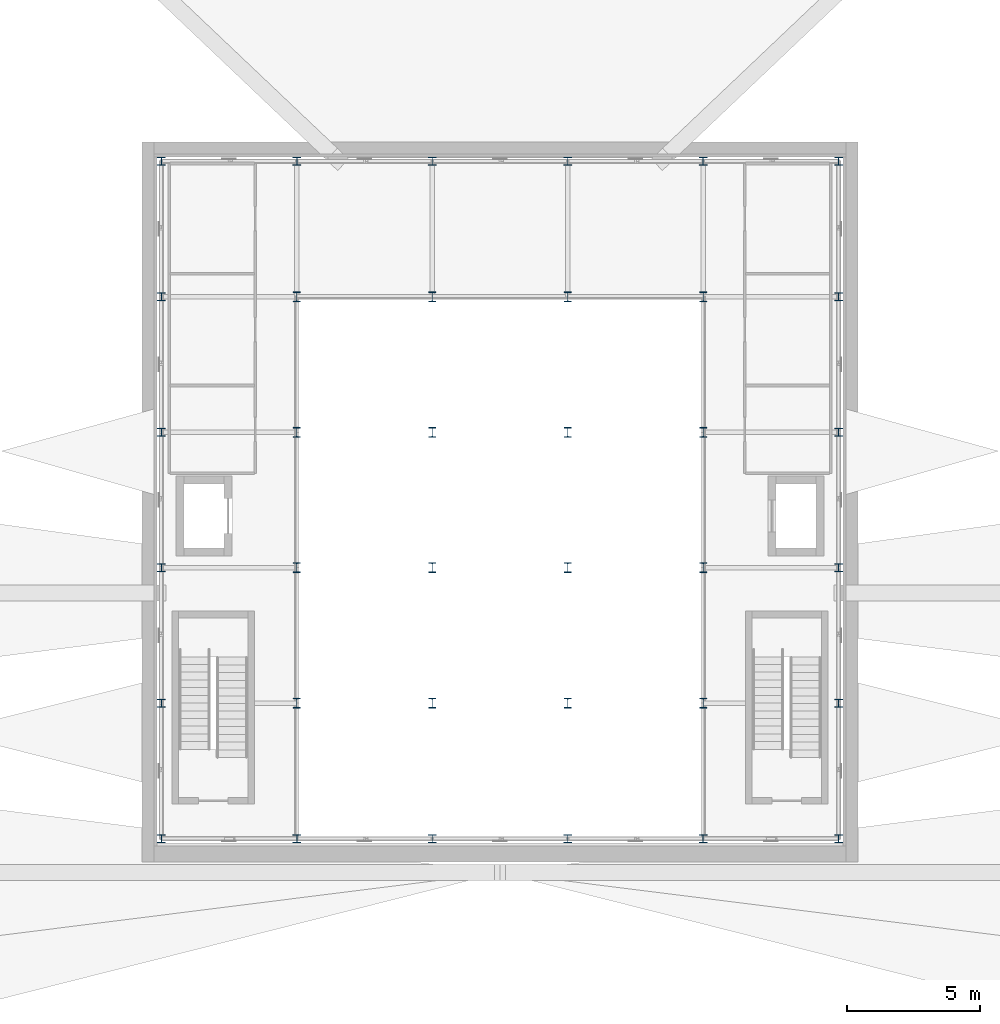
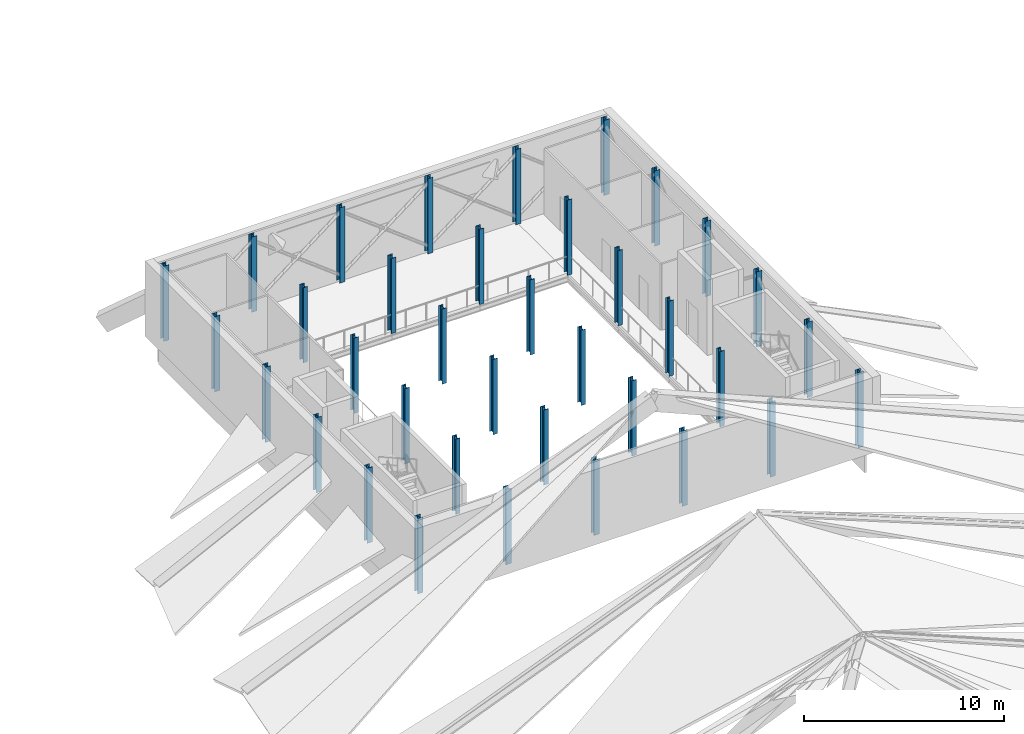
# One storey, part 1 of 7: 36 columns.
"""IFC4 building model written with IfcOpenShell, lengths in metres."""

from ifc_helpers import new_model, si_unit, direction, frame, origin, origin_2d, place, context, subcontext, project, spatial, i_section, extrude, material, material_profile, profile_set, type_object, element, save


model = new_model("IFC4")

# Units and contexts
model_context = context("Model", 3, precision=1e-05, world=origin(), true_north=direction((0.0, 1.0)))
body_context = subcontext(model_context, "Body", "Model", "MODEL_VIEW")
ifc_project = project(units=[si_unit("LENGTHUNIT", "METRE"), si_unit("AREAUNIT", "SQUARE_METRE"), si_unit("VOLUMEUNIT", "CUBIC_METRE"), si_unit("PLANEANGLEUNIT", "RADIAN"), si_unit("MASSUNIT", "GRAM", prefix="KILO")], contexts=[model_context])

# Site, building, storey
site_placement = place(None, origin())
site = spatial("IfcSite", under=ifc_project, at=site_placement, CompositionType="ELEMENT")
building_placement = place(site_placement, origin())
building = spatial("IfcBuilding", under=site, at=building_placement, Name="Tide Square Theatres", CompositionType="ELEMENT")
storey_placement = place(building_placement, frame((0.0, 0.0, 19.39990234375)))
storey = spatial("IfcBuildingStorey", under=building, at=storey_placement, Name="L04", CompositionType="ELEMENT", Elevation=19.39990234375)

# Columns
ifc_material_1 = material(Name="Steel ASTM A572 Grade 50", Category="steel")
ifc_material_profile_1 = material_profile(ifc_material_1, i_section(OverallWidth=0.31201171875, OverallDepth=0.31201171875, WebThickness=0.017333984375, FlangeThickness=0.017333984375, FilletRadius=0.01611328125, at=origin_2d()))
ifc_profile_set_1 = profile_set([ifc_material_profile_1], Name="Steel ASTM A572 Grade 50")
column_type_1 = type_object("IfcColumnType", Name="Steel column HP 310 x 125.0", PredefinedType="COLUMN", material=ifc_profile_set_1)
for number, where, z_axis, x_axis, name in (
    (1, (71.27587890625, 56.27587890625, 0.0), (0.0, 0.0, 1.0), (1.0, 0.0, 0.0), "Fly tower column"),
    (2, (71.27587890625, 61.365478515625, 0.0), (0.0, 0.0, 1.0), (1.0, 0.0, 0.0), "Fly tower column"),
    (3, (71.27587890625, 66.455078125, 0.0), (0.0, 0.0, 1.0), (1.0, 0.0, 0.0), "Fly tower column"),
    (4, (71.27587890625, 71.544921875, 0.0), (0.0, 0.0, 1.0), (1.0, 0.0, 0.0), "Fly tower column"),
    (5, (71.27587890625, 76.634521484375, 0.0), (0.0, 0.0, 1.0), (1.0, 0.0, 0.0), "Fly tower column"),
    (6, (71.27587890625, 81.72412109375, 0.0), (0.0, 0.0, 1.0), (1.0, 0.0, 0.0), "Fly tower column"),
    (7, (76.365478515625, 56.27587890625, 0.0), (0.0, 0.0, 1.0), (1.0, 0.0, 0.0), "Fly tower column"),
    (8, (76.365478515625, 81.72412109375, 0.0), (0.0, 0.0, 1.0), (1.0, 0.0, 0.0), "Fly tower column"),
    (9, (81.455078125, 56.27587890625, 0.0), (0.0, 0.0, 1.0), (1.0, 0.0, 0.0), "Fly tower column"),
    (10, (81.455078125, 81.72412109375, 0.0), (0.0, 0.0, 1.0), (1.0, 0.0, 0.0), "Fly tower column"),
    (11, (86.544921875, 56.27587890625, 0.0), (0.0, 0.0, 1.0), (1.0, 0.0, 0.0), "Fly tower column"),
    (12, (86.544921875, 81.72412109375, 0.0), (0.0, 0.0, 1.0), (1.0, 0.0, 0.0), "Fly tower column"),
    (13, (91.634521484375, 56.27587890625, 0.0), (0.0, 0.0, 1.0), (1.0, 0.0, 0.0), "Fly tower column"),
    (14, (91.634521484375, 81.72412109375, 0.0), (0.0, 0.0, 1.0), (1.0, 0.0, 0.0), "Fly tower column"),
    (15, (96.72412109375, 56.27587890625, 0.0), (0.0, 0.0, 1.0), (1.0, 0.0, 0.0), "Fly tower column"),
    (16, (96.72412109375, 61.365478515625, 0.0), (0.0, 0.0, 1.0), (1.0, 0.0, 0.0), "Fly tower column"),
    (17, (96.72412109375, 66.455078125, 0.0), (0.0, 0.0, 1.0), (1.0, 0.0, 0.0), "Fly tower column"),
    (18, (96.72412109375, 71.544921875, 0.0), (0.0, 0.0, 1.0), (1.0, 0.0, 0.0), "Fly tower column"),
    (19, (96.72412109375, 76.634521484375, 0.0), (0.0, 0.0, 1.0), (1.0, 0.0, 0.0), "Fly tower column"),
    (20, (96.72412109375, 81.72412109375, 0.0), (0.0, 0.0, 1.0), (1.0, 0.0, 0.0), "Fly tower column"),
):
    element("IfcColumn", number, at=place(storey_placement, frame(where, z_axis=z_axis, x_axis=x_axis)), inside=storey, type_object=column_type_1, Name=name, PredefinedType="COLUMN", context=body_context, shape_type="SweptSolid", body=[
        extrude(i_section(OverallWidth=0.31201171875, OverallDepth=0.31201171875, WebThickness=0.017333984375, FlangeThickness=0.017333984375, FilletRadius=0.01611328125, at=origin_2d()), origin(), (0.0, 0.0, 1.0), 4.60009765625),
    ])
ifc_material_2 = material(Name="Steel ASTM A572 Grade 50", Category="steel")
ifc_material_profile_2 = material_profile(ifc_material_2, i_section(OverallWidth=0.257080078125, OverallDepth=0.363037109375, WebThickness=0.012939453125, FlangeThickness=0.021728515625, FilletRadius=0.01611328125, at=origin_2d()))
ifc_profile_set_2 = profile_set([ifc_material_profile_2], Name="Steel ASTM A572 Grade 50")
column_type_2 = type_object("IfcColumnType", Name="Steel column W 360 x 122.0", PredefinedType="COLUMN", material=ifc_profile_set_2)
for number, where, z_axis, x_axis, name in (
    (21, (76.365478515625, 61.365478515625, 0.0), (0.0, 0.0, 1.0), (1.0, 0.0, 0.0), "Fly tower column"),
    (22, (76.365478515625, 66.455078125, 0.0), (0.0, 0.0, 1.0), (1.0, 0.0, 0.0), "Fly tower column"),
    (23, (76.365478515625, 71.544921875, 0.0), (0.0, 0.0, 1.0), (1.0, 0.0, 0.0), "Fly tower column"),
    (24, (76.365478515625, 76.634521484375, 0.0), (0.0, 0.0, 1.0), (1.0, 0.0, 0.0), "Fly tower column"),
    (25, (81.455078125, 61.365478515625, 0.0), (0.0, 0.0, 1.0), (1.0, 0.0, 0.0), "Fly tower column"),
    (26, (81.455078125, 66.455078125, 0.0), (0.0, 0.0, 1.0), (1.0, 0.0, 0.0), "Fly tower column"),
    (27, (81.455078125, 71.544921875, 0.0), (0.0, 0.0, 1.0), (1.0, 0.0, 0.0), "Fly tower column"),
    (28, (81.455078125, 76.634521484375, 0.0), (0.0, 0.0, 1.0), (1.0, 0.0, 0.0), "Fly tower column"),
    (29, (86.544921875, 61.365478515625, 0.0), (0.0, 0.0, 1.0), (1.0, 0.0, 0.0), "Fly tower column"),
    (30, (86.544921875, 66.455078125, 0.0), (0.0, 0.0, 1.0), (1.0, 0.0, 0.0), "Fly tower column"),
    (31, (86.544921875, 71.544921875, 0.0), (0.0, 0.0, 1.0), (1.0, 0.0, 0.0), "Fly tower column"),
    (32, (86.544921875, 76.634521484375, 0.0), (0.0, 0.0, 1.0), (1.0, 0.0, 0.0), "Fly tower column"),
    (33, (91.634521484375, 61.365478515625, 0.0), (0.0, 0.0, 1.0), (1.0, 0.0, 0.0), "Fly tower column"),
    (34, (91.634521484375, 66.455078125, 0.0), (0.0, 0.0, 1.0), (1.0, 0.0, 0.0), "Fly tower column"),
    (35, (91.634521484375, 71.544921875, 0.0), (0.0, 0.0, 1.0), (1.0, 0.0, 0.0), "Fly tower column"),
    (36, (91.634521484375, 76.634521484375, 0.0), (0.0, 0.0, 1.0), (1.0, 0.0, 0.0), "Fly tower column"),
):
    element("IfcColumn", number, at=place(storey_placement, frame(where, z_axis=z_axis, x_axis=x_axis)), inside=storey, type_object=column_type_2, Name=name, PredefinedType="COLUMN", context=body_context, shape_type="SweptSolid", body=[
        extrude(i_section(OverallWidth=0.257080078125, OverallDepth=0.363037109375, WebThickness=0.012939453125, FlangeThickness=0.021728515625, FilletRadius=0.01611328125, at=origin_2d()), origin(), (0.0, 0.0, 1.0), 4.60009765625),
    ])

save(model, "model.ifc")
